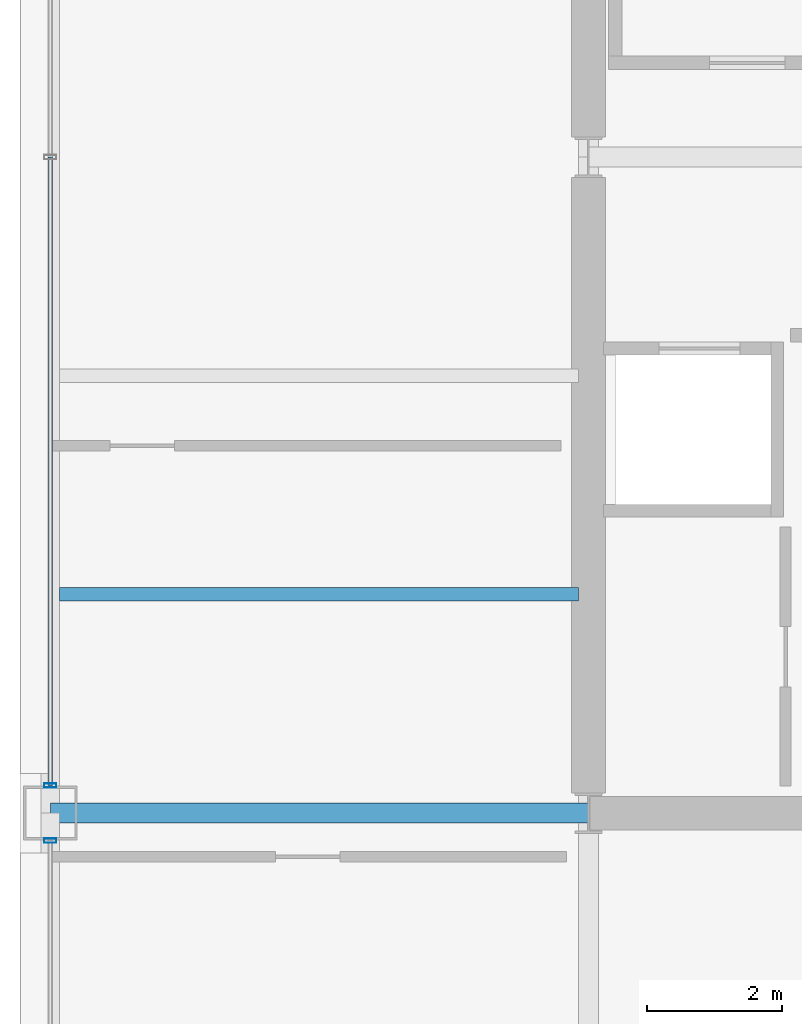
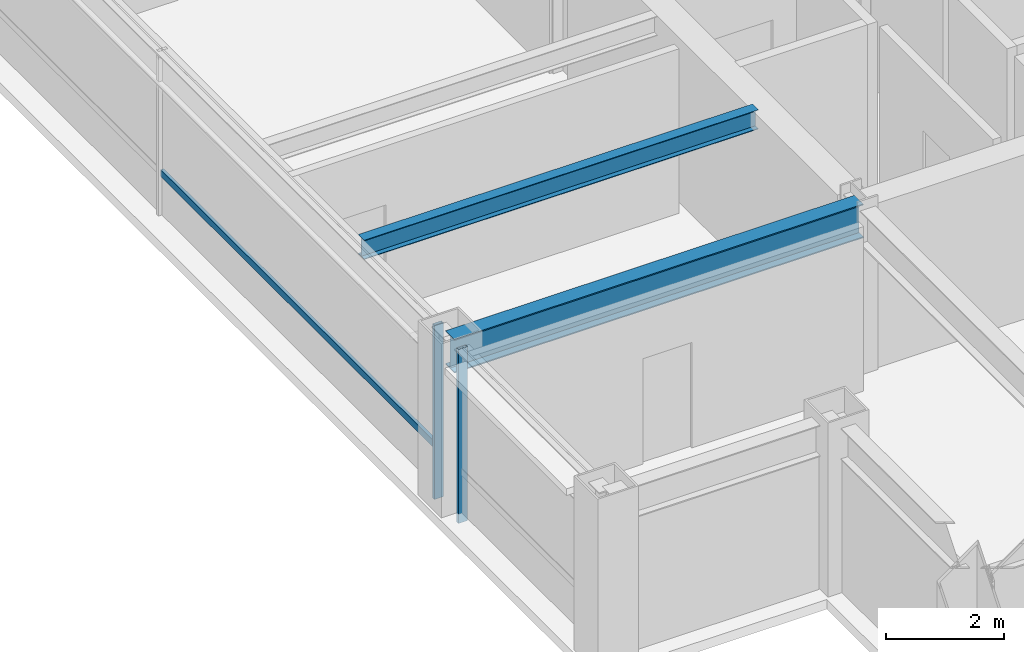
# One storey, part 4 of 28: 3 members, 2 beams, 2 elements without a shape of their own.
"""IFC4 building model written with IfcOpenShell, lengths in metres."""

from ifc_helpers import new_model, si_unit, direction, frame, origin, origin_2d, place, context, subcontext, project, spatial, hollow_rectangle, i_section, extrude, material, layer, layer_set, material_profile, profile_set, type_object, element, aggregate, save


model = new_model("IFC4")

# Units and contexts
model_context = context("Model", 3, precision=1e-05, world=origin(), true_north=direction((0.0, 1.0)))
body_context = subcontext(model_context, "Body", "Model", "MODEL_VIEW")
ifc_project = project(units=[si_unit("LENGTHUNIT", "METRE"), si_unit("AREAUNIT", "SQUARE_METRE"), si_unit("VOLUMEUNIT", "CUBIC_METRE"), si_unit("PLANEANGLEUNIT", "RADIAN"), si_unit("MASSUNIT", "GRAM", prefix="KILO")], contexts=[model_context])

# Site, building, storey
site_placement = place(None, origin())
site = spatial("IfcSite", under=ifc_project, at=site_placement, CompositionType="ELEMENT")
building_placement = place(site_placement, origin())
building = spatial("IfcBuilding", under=site, at=building_placement, Name="Brelmoor Portico Tower", CompositionType="ELEMENT")
storey_placement = place(building_placement, frame((0.0, 0.0, 142.199951171875)))
storey = spatial("IfcBuildingStorey", under=building, at=storey_placement, Name="L37", CompositionType="ELEMENT", Elevation=142.199951171875)

# Beams
ifc_material_1 = material(Name="Steel Q355B", Category="steel")
ifc_material_profile_1 = material_profile(ifc_material_1, i_section(OverallWidth=0.199951171875, OverallDepth=0.39990234375, WebThickness=0.008056640625, FlangeThickness=0.012939453125, at=origin_2d()), Name="HN 400x200x8x13")
ifc_profile_set_1 = profile_set([ifc_material_profile_1], Name="Steel Q355B")
beam_type_1 = type_object("IfcBeamType", Name="BM-JS-400", PredefinedType="JOIST", material=ifc_profile_set_1)
beam_1_placement = place(storey_placement, frame((-22.409912109375, -6.5, 3.199951171875), z_axis=(1.0, 0.0, 0.0), x_axis=(0.0, 1.0, 0.0)))
element("IfcBeam", 1, at=beam_1_placement, inside=storey, type_object=beam_type_1, Name="L37 Secondary Wing Joist JS-W05", PredefinedType="JOIST", context=body_context, shape_type="SweptSolid", body=[
    extrude(i_section(OverallWidth=0.199951171875, OverallDepth=0.39990234375, WebThickness=0.008056640625, FlangeThickness=0.012939453125, at=origin_2d()), origin(), (0.0, 0.0, 1.0), 7.7099609375),
])
ifc_material_profile_2 = material_profile(ifc_material_1, i_section(OverallWidth=0.300048828125, OverallDepth=0.699951171875, WebThickness=0.012939453125, FlangeThickness=0.02392578125, at=origin_2d()), Name="HN 700x300x13x24")
ifc_profile_set_2 = profile_set([ifc_material_profile_2], Name="Steel Q355B")
beam_type_2 = type_object("IfcBeamType", Name="BM-PG-700", PredefinedType="BEAM", material=ifc_profile_set_2)
beam_2_placement = place(storey_placement, frame((-22.550048828125, -9.75, 3.050048828125), z_axis=(1.0, 0.0, 0.0), x_axis=(0.0, 1.0, 0.0)))
element("IfcBeam", 2, at=beam_2_placement, inside=storey, type_object=beam_type_2, Name="L37 Primary Floor Girder PG-14", PredefinedType="BEAM", context=body_context, shape_type="SweptSolid", body=[
    extrude(i_section(OverallWidth=0.300048828125, OverallDepth=0.699951171875, WebThickness=0.012939453125, FlangeThickness=0.02392578125, at=origin_2d()), origin(), (0.0, 0.0, 1.0), 8.0),
])

# Curtain wall, member
ifc_material_2 = material(Name="Anodised Aluminium Alloy 6063-T6", Category="aluminium")
ifc_layer = layer(ifc_material_2, 0.179931640625)
ifc_layer_set = layer_set([ifc_layer], Name="Anodised Aluminium Alloy 6063-T6")
curtain_wall_type = type_object("IfcCurtainWallType", Name="CW-TOWER-Z2", PredefinedType="NOTDEFINED", material=ifc_layer_set)
curtain_wall_1_placement = place(storey_placement, origin())
curtain_wall_1 = element("IfcCurtainWall", 3, at=curtain_wall_1_placement, inside=storey, type_object=curtain_wall_type, Name="L37 Curtain Wall CW-L37-03-1", PredefinedType="NOTDEFINED")
ifc_material_profile_3 = material_profile(ifc_material_2, hollow_rectangle(XDim=0.06494140625, YDim=0.179931640625, WallThickness=0.00390625, at=origin_2d()), Name="ALU MULLION 65x180")
ifc_profile_set_3 = profile_set([ifc_material_profile_3], Name="Anodised Aluminium Alloy 6063-T6")
member_type_1 = type_object("IfcMemberType", Name="MB-CW-MULL-180", PredefinedType="MULLION", material=ifc_profile_set_3)
member_1_placement = place(storey_placement, frame((-22.550048828125, -10.159912109375, -0.199951171875), z_axis=(0.0, 0.0, 1.0), x_axis=(0.0, 1.0, 0.0)))
member_1 = element("IfcMember", 4, at=member_1_placement, type_object=member_type_1, Name="CW-L37-03-1 Mullion 01", PredefinedType="MULLION", context=body_context, shape_type="SweptSolid", body=[
    extrude(hollow_rectangle(XDim=0.06494140625, YDim=0.179931640625, WallThickness=0.00390625, at=origin_2d()), origin(), (0.0, 0.0, 1.0), 3.60009765625),
])
aggregate(curtain_wall_1, [member_1])

# Curtain wall, members
curtain_wall_2_placement = place(storey_placement, origin())
curtain_wall_2 = element("IfcCurtainWall", 5, at=curtain_wall_2_placement, inside=storey, type_object=curtain_wall_type, Name="L37 Curtain Wall CW-L37-03-2", PredefinedType="NOTDEFINED")
member_2_placement = place(storey_placement, frame((-22.550048828125, -9.340087890625, -0.199951171875), z_axis=(0.0, 0.0, 1.0), x_axis=(0.0, 1.0, 0.0)))
member_2 = element("IfcMember", 6, at=member_2_placement, type_object=member_type_1, Name="CW-L37-03-2 Mullion 00", PredefinedType="MULLION", context=body_context, shape_type="SweptSolid", body=[
    extrude(hollow_rectangle(XDim=0.06494140625, YDim=0.179931640625, WallThickness=0.00390625, at=origin_2d()), origin(), (0.0, 0.0, 1.0), 3.60009765625),
])
ifc_material_profile_4 = material_profile(ifc_material_2, hollow_rectangle(XDim=0.06494140625, YDim=0.139892578125, WallThickness=0.00390625, at=origin_2d()), Name="ALU TRANSOM 65x140")
ifc_profile_set_4 = profile_set([ifc_material_profile_4], Name="Anodised Aluminium Alloy 6063-T6")
member_type_2 = type_object("IfcMemberType", Name="MB-CW-TRAN-140", PredefinedType="USERDEFINED", material=ifc_profile_set_4)
member_3_placement = place(storey_placement, frame((-22.550048828125, -9.340087890625, 0.85009765625), z_axis=(0.0, 1.0, 0.0), x_axis=(-1.0, 0.0, 0.0)))
member_3 = element("IfcMember", 7, at=member_3_placement, type_object=member_type_2, Name="CW-L37-03-2 Transom 1-00", ObjectType="TRANSOM", PredefinedType="USERDEFINED", context=body_context, shape_type="SweptSolid", body=[
    extrude(hollow_rectangle(XDim=0.06494140625, YDim=0.139892578125, WallThickness=0.00390625, at=origin_2d()), origin(), (0.0, 0.0, 1.0), 9.340087890625),
])
aggregate(curtain_wall_2, [member_2, member_3])

save(model, "model.ifc")
